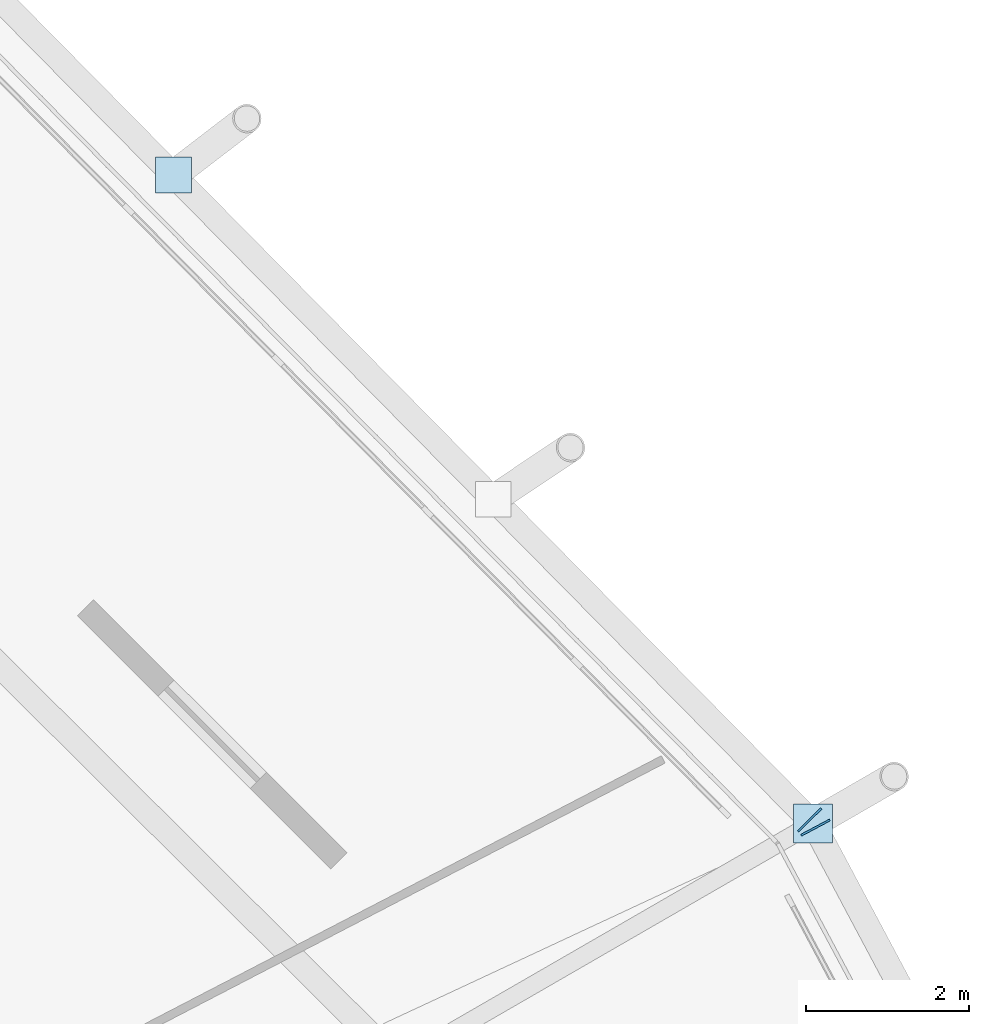
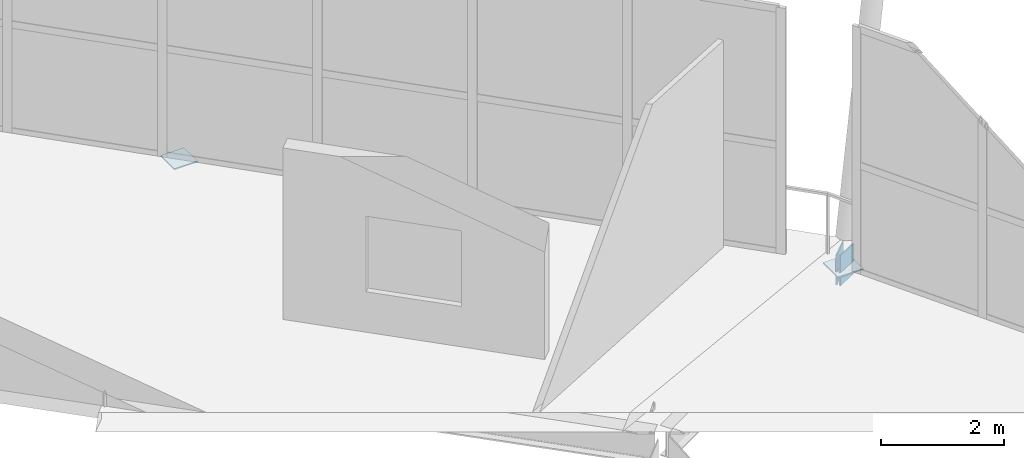
# One storey, part 74 of 99: 4 plates.
"""IFC4 building model written with IfcOpenShell, lengths in metres."""

import ifcopenshell
import ifcopenshell.guid

model = None  # the IFC model being written
_history = None  # IfcOwnerHistory: only IFC2X3 demands one
_inside = {}  # id of a spatial element -> (the spatial element, [elements in it])
_under = {}  # id of a project, library or spatial element -> (it, [spatial elements below it])
_declared = {}  # id of a project -> (the project, [libraries it declares])
_typed = {}  # id of a type object -> (the type object, [elements of that type])
_made_of = {}  # id of a material, layer set ... -> (it, [elements and type objects made of it])


def new_model(schema):
    """Start an empty IFC model of exactly this schema.

    Asked for "IFC4X3", IfcOpenShell would pick the latest addendum, in which some entities
    have other attributes; the version numbers below select the first issue.
    IFC2X3 requires an IfcOwnerHistory on every rooted entity: one is made here for all.
    """
    global model, _history
    if schema == "IFC4X3":
        model = ifcopenshell.file(schema_version=(4, 3, 0, 0))
    else:
        model = ifcopenshell.file(schema=schema)
    _inside.clear()
    _under.clear()
    _declared.clear()
    _typed.clear()
    _made_of.clear()
    _history = None
    if model.schema == "IFC2X3":
        org = make("IfcOrganization", Name="unknown")
        user = make(
            "IfcPersonAndOrganization",
            ThePerson=make("IfcPerson", FamilyName="unknown"),
            TheOrganization=org,
        )
        app = make(
            "IfcApplication",
            ApplicationDeveloper=org,
            Version="unknown",
            ApplicationFullName="unknown",
            ApplicationIdentifier="unknown",
        )
        _history = make(
            "IfcOwnerHistory",
            OwningUser=user,
            OwningApplication=app,
            ChangeAction="ADDED",
            CreationDate=0,
        )
    return model


def make(cls, **values):
    """One entity of the class cls with the attributes given. An attribute that is None is left unset."""
    return model.create_entity(
        cls, **{name: value for name, value in values.items() if value is not None}
    )


def rooted(cls, **values):
    """An entity with a GlobalId (a new one), such as an element, a storey or a relation."""
    return make(cls, GlobalId=ifcopenshell.guid.new(), OwnerHistory=_history, **values)


def si_unit(unit_type, name, prefix=None):
    """IfcSIUnit, for example si_unit("LENGTHUNIT", "METRE", prefix="MILLI")."""
    return make("IfcSIUnit", UnitType=unit_type, Prefix=prefix, Name=name)


def assignment(units):
    """IfcUnitAssignment: the units of a project."""
    return None if units is None else make("IfcUnitAssignment", Units=units)


def point(xyz):
    """IfcCartesianPoint."""
    return None if xyz is None else make("IfcCartesianPoint", Coordinates=xyz)


def direction(xyz):
    """IfcDirection."""
    return None if xyz is None else make("IfcDirection", DirectionRatios=xyz)


def frame(location, z_axis=None, x_axis=None):
    """IfcAxis2Placement3D, a coordinate frame: its origin and axes. An axis left out is left unset."""
    return make(
        "IfcAxis2Placement3D",
        Location=point(location),
        Axis=direction(z_axis),
        RefDirection=direction(x_axis),
    )


def frame_2d(location, x_axis=None):
    """IfcAxis2Placement2D, a coordinate frame in the plane: its origin and x axis."""
    return make(
        "IfcAxis2Placement2D", Location=point(location), RefDirection=direction(x_axis)
    )


def origin():
    """The frame at (0, 0, 0) with its axes left unset."""
    return frame((0.0, 0.0, 0.0))


def origin_2d():
    """The frame at (0, 0) in the plane with its x axis left unset."""
    return frame_2d((0.0, 0.0))


def place(relative_to, where):
    """IfcLocalPlacement: puts the frame where relative to a parent placement (None: the world)."""
    return make(
        "IfcLocalPlacement", PlacementRelTo=relative_to, RelativePlacement=where
    )


def context(
    kind, dimensions, precision=None, world=None, true_north=None, identifier=None
):
    """IfcGeometricRepresentationContext, for example the 3D "Model" context."""
    return make(
        "IfcGeometricRepresentationContext",
        ContextIdentifier=identifier,
        ContextType=kind,
        CoordinateSpaceDimension=dimensions,
        Precision=precision,
        WorldCoordinateSystem=world,
        TrueNorth=true_north,
    )


def subcontext(parent, identifier, kind, view, scale=None):
    """IfcGeometricRepresentationSubContext, for example "Body" below "Model"."""
    return make(
        "IfcGeometricRepresentationSubContext",
        ContextIdentifier=identifier,
        ContextType=kind,
        ParentContext=parent,
        TargetScale=scale,
        TargetView=view,
    )


def project(units=None, contexts=None):
    """IfcProject with its units and contexts."""
    return rooted(
        "IfcProject",
        Name="project",
        RepresentationContexts=contexts,
        UnitsInContext=assignment(units),
    )


def spatial(cls, under=None, at=None, **own):
    """A site, building, storey or space (cls), placed at a placement, below another one or the project."""
    s = rooted(cls, ObjectPlacement=at, **own)
    if under is not None:
        _under.setdefault(under.id(), (under, []))[1].append(s)
    return s


def profile(cls, at=None, kind="AREA", **sizes):
    """A parametric profile (cls). Its sizes go by their IFC names, for example OverallWidth=200.0."""
    return make(cls, ProfileType=kind, Position=at, **sizes)


def rectangle(**sizes):
    """IfcRectangleProfileDef."""
    return profile("IfcRectangleProfileDef", **sizes)


def extrude(swept, where, along, depth):
    """IfcExtrudedAreaSolid: the profile swept, set in the frame where, extruded along a direction by depth."""
    return make(
        "IfcExtrudedAreaSolid",
        SweptArea=swept,
        Position=where,
        ExtrudedDirection=direction(along),
        Depth=depth,
    )


def shape(context_of_items, identifier, shape_type, items):
    """IfcShapeRepresentation: the items that make up one representation, for example the "Body"."""
    return make(
        "IfcShapeRepresentation",
        ContextOfItems=context_of_items,
        RepresentationIdentifier=identifier,
        RepresentationType=shape_type,
        Items=items,
    )


def material(Name=None, Category=None):
    """IfcMaterial."""
    return make("IfcMaterial", Name=Name, Category=Category)


def layer(
    of_material, thickness, ventilated=None, Name=None, Category=None, Priority=None
):
    """IfcMaterialLayer: one layer of a wall or slab, of a material (None: an air gap)."""
    return make(
        "IfcMaterialLayer",
        Material=of_material,
        LayerThickness=thickness,
        IsVentilated=ventilated,
        Name=Name,
        Category=Category,
        Priority=Priority,
    )


def layer_set(layers, Name=None):
    """IfcMaterialLayerSet."""
    return make("IfcMaterialLayerSet", MaterialLayers=layers, LayerSetName=Name)


def made_of(thing, what):
    """Note that an element or type object is made of a material, layer set ...; save() writes the relation."""
    if what is not None:
        _made_of.setdefault(what.id(), (what, []))[1].append(thing)
    return thing


def type_object(cls, material=None, **own):
    """A type object (cls), such as IfcWallType, which elements share."""
    return made_of(rooted(cls, **own), material)


def element(
    cls,
    number,
    at=None,
    inside=None,
    cuts=None,
    type_object=None,
    material=None,
    context=None,
    identifier="Body",
    shape_type=None,
    held_by="IfcProductDefinitionShape",
    body=None,
    shapes=None,
    **own,
):
    """One element of the class cls, such as IfcWall. Its Tag is "e" and its number.

    at: its placement. inside: the storey or other place that contains it. cuts: it is an
    opening in that element (IfcRelVoidsElement). A single representation is given by context,
    identifier, shape_type and body (its items); several are given by shapes. held_by: the class
    of the entity that holds the representations. save() writes the other relations.
    """
    e = rooted(cls, Tag="e%d" % number, ObjectPlacement=at, **own)
    if body is not None:
        shapes = [shape(context, identifier, shape_type, body)]
    if shapes is not None:
        e.Representation = make(held_by, Representations=shapes)
    if inside is not None:
        _inside.setdefault(inside.id(), (inside, []))[1].append(e)
    if cuts is not None:
        rooted(
            "IfcRelVoidsElement", RelatingBuildingElement=cuts, RelatedOpeningElement=e
        )
    if type_object is not None:
        _typed.setdefault(type_object.id(), (type_object, []))[1].append(e)
    return made_of(e, material)


def aggregate(whole, parts):
    """IfcRelAggregates: a whole, such as a stair, and the parts it consists of."""
    return rooted("IfcRelAggregates", RelatingObject=whole, RelatedObjects=parts)


def save(model, path):
    """Write the relations noted so far, then the file.

    IfcRelAggregates (storeys below a building ...), IfcRelContainedInSpatialStructure (elements
    in a storey), IfcRelDefinesByType, IfcRelAssociatesMaterial and IfcRelDeclares: one each for
    every whole, place, type object, material and project.
    """
    for whole, parts in _under.values():
        aggregate(whole, parts)
    for where, things in _inside.values():
        rooted(
            "IfcRelContainedInSpatialStructure",
            RelatedElements=things,
            RelatingStructure=where,
        )
    for kind, things in _typed.values():
        rooted("IfcRelDefinesByType", RelatedObjects=things, RelatingType=kind)
    for what, things in _made_of.values():
        rooted("IfcRelAssociatesMaterial", RelatedObjects=things, RelatingMaterial=what)
    for by, libraries in _declared.values():
        rooted("IfcRelDeclares", RelatingContext=by, RelatedDefinitions=libraries)
    model.write(path)


model = new_model("IFC4")

# Units and contexts
model_context = context("Model", 3, precision=1e-05, world=origin(), true_north=direction((0.0, 1.0)))
body_context = subcontext(model_context, "Body", "Model", "MODEL_VIEW")
ifc_project = project(units=[si_unit("LENGTHUNIT", "METRE"), si_unit("AREAUNIT", "SQUARE_METRE"), si_unit("VOLUMEUNIT", "CUBIC_METRE"), si_unit("PLANEANGLEUNIT", "RADIAN"), si_unit("MASSUNIT", "GRAM", prefix="KILO")], contexts=[model_context])

# Site, building, storey
site_placement = place(None, origin())
site = spatial("IfcSite", under=ifc_project, at=site_placement, CompositionType="ELEMENT")
building_placement = place(site_placement, origin())
building = spatial("IfcBuilding", under=site, at=building_placement, Name="Zlatoyarsky Gate Stadium", CompositionType="ELEMENT")
storey_placement = place(building_placement, frame((0.0, 0.0, 26.199951171875)))
storey = spatial("IfcBuildingStorey", under=building, at=storey_placement, Name="L05", CompositionType="ELEMENT", Elevation=26.199951171875)

# Plates
ifc_material = material(Name="Steel S355", Category="steel")
ifc_layer = layer(ifc_material, 0.02392578125)
ifc_layer_set = layer_set([ifc_layer], Name="Steel S355")
plate_type = type_object("IfcPlateType", Name="STEEL HOLLOW CHORD SPLICE SHEET 24", PredefinedType="SHEET", material=ifc_layer_set)
for number, where, z_axis, x_axis, name in (
    (1, (196.6591796875, 118.385986328125, -0.81005859375), (0.0, 0.0, 1.0), (-0.47018795571, 0.88256630703, 0.0), "Hollow end cap ND-SP1 CAP-L05-SPD-01 B"),
    (2, (196.5888671875, 118.481689453125, -0.81005859375), (0.0, 0.0, 1.0), (-0.702431198843, 0.711751649729, 0.0), "Hollow end cap ND-SP1 CAP-L05-SPD-02 A"),
):
    element("IfcPlate", number, at=place(storey_placement, frame(where, z_axis=z_axis, x_axis=x_axis)), inside=storey, type_object=plate_type, Name=name, PredefinedType="SHEET", context=body_context, shape_type="SweptSolid", body=[
        extrude(rectangle(XDim=0.02392578125, YDim=0.39990234375, at=origin_2d()), origin(), (0.0, 0.0, 1.0), 0.60009765625),
    ])
plate_1_placement = place(storey_placement, frame((196.630859375, 118.43896484375, -0.572021484375), z_axis=(0.0, 0.0, 1.0), x_axis=(1.0, 0.0, 0.0)))
element("IfcPlate", 3, at=plate_1_placement, inside=storey, type_object=plate_type, Name="Node closure plate ND-SP1 NCAP-L05-RSTR-02", PredefinedType="SHEET", context=body_context, shape_type="SweptSolid", body=[
    extrude(rectangle(XDim=0.47998046875, YDim=0.47998046875, at=origin_2d()), origin(), (0.0, 0.0, 1.0), 0.02392578125),
])
plate_2_placement = place(storey_placement, frame((188.774169921875, 126.39990234375, -0.52197265625), z_axis=(0.0, 0.0, 1.0), x_axis=(1.0, 0.0, 0.0)))
element("IfcPlate", 4, at=plate_2_placement, inside=storey, type_object=plate_type, Name="Node closure plate ND-SP1 NCAP-RIB-02-2-3T", PredefinedType="SHEET", context=body_context, shape_type="SweptSolid", body=[
    extrude(rectangle(XDim=0.43994140625, YDim=0.43994140625, at=origin_2d()), origin(), (0.0, 0.0, 1.0), 0.02392578125),
])

save(model, "model.ifc")
